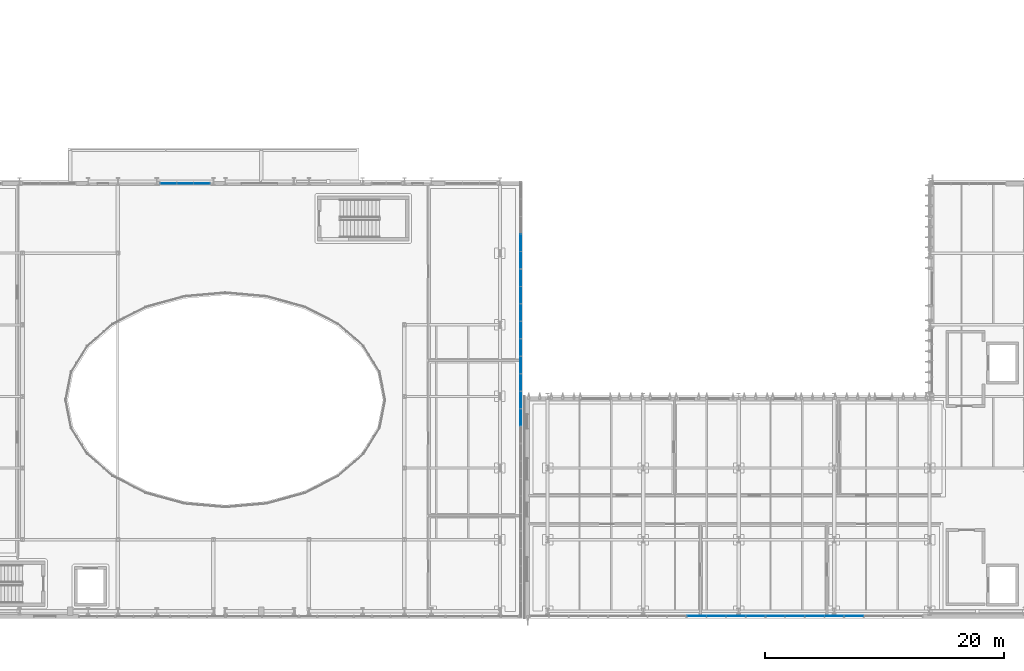
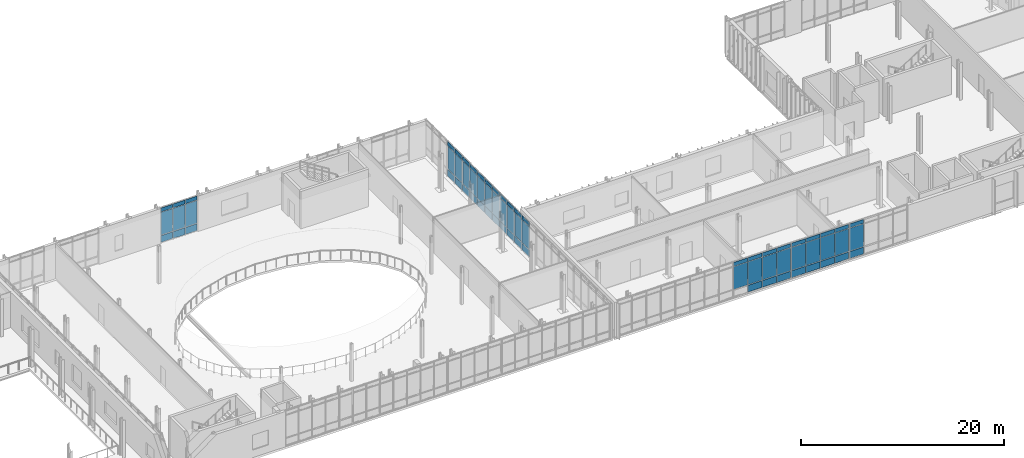
# One storey, part 53 of 100: 68 plates, 7 elements without a shape of their own.
"""IFC4 building model written with IfcOpenShell, lengths in metres."""

from ifc_helpers import new_model, si_unit, direction, frame, origin, origin_2d, place, context, subcontext, project, spatial, rectangle, extrude, material, layer, layer_set, type_object, element, aggregate, save


model = new_model("IFC4")

# Units and contexts
model_context = context("Model", 3, precision=1e-05, world=origin(), true_north=direction((0.0, 1.0)))
body_context = subcontext(model_context, "Body", "Model", "MODEL_VIEW")
ifc_project = project(units=[si_unit("LENGTHUNIT", "METRE"), si_unit("AREAUNIT", "SQUARE_METRE"), si_unit("VOLUMEUNIT", "CUBIC_METRE"), si_unit("PLANEANGLEUNIT", "RADIAN"), si_unit("MASSUNIT", "GRAM", prefix="KILO")], contexts=[model_context])

# Site, building, storey
site_placement = place(None, origin())
site = spatial("IfcSite", under=ifc_project, at=site_placement, CompositionType="ELEMENT")
building_placement = place(site_placement, origin())
building = spatial("IfcBuilding", under=site, at=building_placement, Name="Cymarion Research Institute", CompositionType="ELEMENT")
storey_placement = place(building_placement, frame((0.0, 0.0, 4.800048828125)))
storey = spatial("IfcBuildingStorey", under=building, at=storey_placement, Name="L01", CompositionType="ELEMENT", Elevation=4.800048828125)

# Curtain wall, plates
ifc_material_1 = material(Name="Anodised aluminium unitised curtain wall with Low-E glazing", Category="aluminium")
curtain_wall_type_1 = type_object("IfcCurtainWallType", Name="UNITISED CURTAIN WALL CW01 6590X4250", PredefinedType="NOTDEFINED", material=ifc_material_1)
curtain_wall_1_placement = place(storey_placement, origin())
curtain_wall_1 = element("IfcCurtainWall", 1, at=curtain_wall_1_placement, inside=storey, type_object=curtain_wall_type_1, Name="L01 V1 unitised curtain wall CW01 #3", PredefinedType="NOTDEFINED")
ifc_material_2 = material(Name="Insulated anodised aluminium spandrel panel", Category="aluminium")
ifc_layer_1 = layer(ifc_material_2, 0.06005859375)
ifc_layer_set_1 = layer_set([ifc_layer_1], Name="Insulated anodised aluminium spandrel panel")
plate_type_1 = type_object("IfcPlateType", Name="INSULATED ALUMINIUM SPANDREL PANEL SP01 60MM", PredefinedType="SHEET", material=ifc_layer_set_1)
plate_1_placement = place(storey_placement, frame((119.08740234375, 5.090087890625, 3.72998046875), z_axis=(0.0, 0.0, 1.0), x_axis=(1.0, 0.0, 0.0)))
plate_1 = element("IfcPlate", 2, at=plate_1_placement, type_object=plate_type_1, Name="CW01 panel 1.3", PredefinedType="SHEET", context=body_context, shape_type="SweptSolid", body=[
    extrude(rectangle(XDim=1.558349609375, YDim=0.06005859375, at=origin_2d()), origin(), (0.0, 0.0, 1.0), 0.4599609375),
])
plate_2_placement = place(storey_placement, frame((120.720703125, 5.090087890625, 0.059814453125), z_axis=(0.0, 0.0, 1.0), x_axis=(1.0, 0.0, 0.0)))
plate_2 = element("IfcPlate", 3, at=plate_2_placement, type_object=plate_type_1, Name="CW01 panel 2.1", PredefinedType="SHEET", context=body_context, shape_type="SweptSolid", body=[
    extrude(rectangle(XDim=1.58837890625, YDim=0.06005859375, at=origin_2d()), origin(), (0.0, 0.0, 1.0), 0.81005859375),
])
plate_3_placement = place(storey_placement, frame((120.720703125, 5.090087890625, 3.72998046875), z_axis=(0.0, 0.0, 1.0), x_axis=(1.0, 0.0, 0.0)))
plate_3 = element("IfcPlate", 4, at=plate_3_placement, type_object=plate_type_1, Name="CW01 panel 2.3", PredefinedType="SHEET", context=body_context, shape_type="SweptSolid", body=[
    extrude(rectangle(XDim=1.58837890625, YDim=0.06005859375, at=origin_2d()), origin(), (0.0, 0.0, 1.0), 0.4599609375),
])
plate_4_placement = place(storey_placement, frame((122.368896484375, 5.090087890625, 0.059814453125), z_axis=(0.0, 0.0, 1.0), x_axis=(1.0, 0.0, 0.0)))
plate_4 = element("IfcPlate", 5, at=plate_4_placement, type_object=plate_type_1, Name="CW01 panel 3.1", PredefinedType="SHEET", context=body_context, shape_type="SweptSolid", body=[
    extrude(rectangle(XDim=1.58837890625, YDim=0.06005859375, at=origin_2d()), origin(), (0.0, 0.0, 1.0), 0.81005859375),
])
plate_5_placement = place(storey_placement, frame((122.368896484375, 5.090087890625, 3.72998046875), z_axis=(0.0, 0.0, 1.0), x_axis=(1.0, 0.0, 0.0)))
plate_5 = element("IfcPlate", 6, at=plate_5_placement, type_object=plate_type_1, Name="CW01 panel 3.3", PredefinedType="SHEET", context=body_context, shape_type="SweptSolid", body=[
    extrude(rectangle(XDim=1.58837890625, YDim=0.06005859375, at=origin_2d()), origin(), (0.0, 0.0, 1.0), 0.4599609375),
])
plate_6_placement = place(storey_placement, frame((124.002197265625, 5.090087890625, 0.059814453125), z_axis=(0.0, 0.0, 1.0), x_axis=(1.0, 0.0, 0.0)))
plate_6 = element("IfcPlate", 7, at=plate_6_placement, type_object=plate_type_1, Name="CW01 panel 4.1", PredefinedType="SHEET", context=body_context, shape_type="SweptSolid", body=[
    extrude(rectangle(XDim=1.558349609375, YDim=0.06005859375, at=origin_2d()), origin(), (0.0, 0.0, 1.0), 0.81005859375),
])
plate_7_placement = place(storey_placement, frame((124.002197265625, 5.090087890625, 3.72998046875), z_axis=(0.0, 0.0, 1.0), x_axis=(1.0, 0.0, 0.0)))
plate_7 = element("IfcPlate", 8, at=plate_7_placement, type_object=plate_type_1, Name="CW01 panel 4.3", PredefinedType="SHEET", context=body_context, shape_type="SweptSolid", body=[
    extrude(rectangle(XDim=1.558349609375, YDim=0.06005859375, at=origin_2d()), origin(), (0.0, 0.0, 1.0), 0.4599609375),
])

curtain_wall_2_placement = place(storey_placement, origin())
curtain_wall_2 = element("IfcCurtainWall", 9, at=curtain_wall_2_placement, inside=storey, type_object=curtain_wall_type_1, Name="L01 V1 unitised curtain wall CW01 #4", PredefinedType="NOTDEFINED")
plate_8_placement = place(storey_placement, frame((125.680419921875, 5.090087890625, 0.059814453125), z_axis=(0.0, 0.0, 1.0), x_axis=(1.0, 0.0, 0.0)))
plate_8 = element("IfcPlate", 10, at=plate_8_placement, type_object=plate_type_1, Name="CW01 panel 1.1", PredefinedType="SHEET", context=body_context, shape_type="SweptSolid", body=[
    extrude(rectangle(XDim=1.558349609375, YDim=0.06005859375, at=origin_2d()), origin(), (0.0, 0.0, 1.0), 0.81005859375),
])
plate_9_placement = place(storey_placement, frame((125.680419921875, 5.090087890625, 3.72998046875), z_axis=(0.0, 0.0, 1.0), x_axis=(1.0, 0.0, 0.0)))
plate_9 = element("IfcPlate", 11, at=plate_9_placement, type_object=plate_type_1, Name="CW01 panel 1.3", PredefinedType="SHEET", context=body_context, shape_type="SweptSolid", body=[
    extrude(rectangle(XDim=1.558349609375, YDim=0.06005859375, at=origin_2d()), origin(), (0.0, 0.0, 1.0), 0.4599609375),
])
plate_10_placement = place(storey_placement, frame((127.313720703125, 5.090087890625, 0.059814453125), z_axis=(0.0, 0.0, 1.0), x_axis=(1.0, 0.0, 0.0)))
plate_10 = element("IfcPlate", 12, at=plate_10_placement, type_object=plate_type_1, Name="CW01 panel 2.1", PredefinedType="SHEET", context=body_context, shape_type="SweptSolid", body=[
    extrude(rectangle(XDim=1.58837890625, YDim=0.06005859375, at=origin_2d()), origin(), (0.0, 0.0, 1.0), 0.81005859375),
])
plate_11_placement = place(storey_placement, frame((127.313720703125, 5.090087890625, 3.72998046875), z_axis=(0.0, 0.0, 1.0), x_axis=(1.0, 0.0, 0.0)))
plate_11 = element("IfcPlate", 13, at=plate_11_placement, type_object=plate_type_1, Name="CW01 panel 2.3", PredefinedType="SHEET", context=body_context, shape_type="SweptSolid", body=[
    extrude(rectangle(XDim=1.58837890625, YDim=0.06005859375, at=origin_2d()), origin(), (0.0, 0.0, 1.0), 0.4599609375),
])
plate_12_placement = place(storey_placement, frame((128.9619140625, 5.090087890625, 0.059814453125), z_axis=(0.0, 0.0, 1.0), x_axis=(1.0, 0.0, 0.0)))
plate_12 = element("IfcPlate", 14, at=plate_12_placement, type_object=plate_type_1, Name="CW01 panel 3.1", PredefinedType="SHEET", context=body_context, shape_type="SweptSolid", body=[
    extrude(rectangle(XDim=1.58837890625, YDim=0.06005859375, at=origin_2d()), origin(), (0.0, 0.0, 1.0), 0.81005859375),
])
plate_13_placement = place(storey_placement, frame((128.9619140625, 5.090087890625, 3.72998046875), z_axis=(0.0, 0.0, 1.0), x_axis=(1.0, 0.0, 0.0)))
plate_13 = element("IfcPlate", 15, at=plate_13_placement, type_object=plate_type_1, Name="CW01 panel 3.3", PredefinedType="SHEET", context=body_context, shape_type="SweptSolid", body=[
    extrude(rectangle(XDim=1.58837890625, YDim=0.06005859375, at=origin_2d()), origin(), (0.0, 0.0, 1.0), 0.4599609375),
])
plate_14_placement = place(storey_placement, frame((130.59521484375, 5.090087890625, 0.059814453125), z_axis=(0.0, 0.0, 1.0), x_axis=(1.0, 0.0, 0.0)))
plate_14 = element("IfcPlate", 16, at=plate_14_placement, type_object=plate_type_1, Name="CW01 panel 4.1", PredefinedType="SHEET", context=body_context, shape_type="SweptSolid", body=[
    extrude(rectangle(XDim=1.558349609375, YDim=0.06005859375, at=origin_2d()), origin(), (0.0, 0.0, 1.0), 0.81005859375),
])
plate_15_placement = place(storey_placement, frame((130.59521484375, 5.090087890625, 3.72998046875), z_axis=(0.0, 0.0, 1.0), x_axis=(1.0, 0.0, 0.0)))
plate_15 = element("IfcPlate", 17, at=plate_15_placement, type_object=plate_type_1, Name="CW01 panel 4.3", PredefinedType="SHEET", context=body_context, shape_type="SweptSolid", body=[
    extrude(rectangle(XDim=1.558349609375, YDim=0.06005859375, at=origin_2d()), origin(), (0.0, 0.0, 1.0), 0.4599609375),
])

curtain_wall_3_placement = place(storey_placement, origin())
curtain_wall_3 = element("IfcCurtainWall", 18, at=curtain_wall_3_placement, inside=storey, type_object=curtain_wall_type_1, Name="L01 V1 unitised curtain wall CW01 #5", PredefinedType="NOTDEFINED")
plate_16_placement = place(storey_placement, frame((132.2734375, 5.090087890625, 0.059814453125), z_axis=(0.0, 0.0, 1.0), x_axis=(1.0, 0.0, 0.0)))
plate_16 = element("IfcPlate", 19, at=plate_16_placement, type_object=plate_type_1, Name="CW01 panel 1.1", PredefinedType="SHEET", context=body_context, shape_type="SweptSolid", body=[
    extrude(rectangle(XDim=1.558349609375, YDim=0.06005859375, at=origin_2d()), origin(), (0.0, 0.0, 1.0), 0.81005859375),
])
plate_17_placement = place(storey_placement, frame((132.2734375, 5.090087890625, 3.72998046875), z_axis=(0.0, 0.0, 1.0), x_axis=(1.0, 0.0, 0.0)))
plate_17 = element("IfcPlate", 20, at=plate_17_placement, type_object=plate_type_1, Name="CW01 panel 1.3", PredefinedType="SHEET", context=body_context, shape_type="SweptSolid", body=[
    extrude(rectangle(XDim=1.558349609375, YDim=0.06005859375, at=origin_2d()), origin(), (0.0, 0.0, 1.0), 0.4599609375),
])

curtain_wall_type_2 = type_object("IfcCurtainWallType", Name="UNITISED CURTAIN WALL CW08 7320X4250", PredefinedType="NOTDEFINED", material=ifc_material_1)
curtain_wall_4_placement = place(storey_placement, origin())
curtain_wall_4 = element("IfcCurtainWall", 21, at=curtain_wall_4_placement, inside=storey, type_object=curtain_wall_type_2, Name="L01 V2 unitised curtain wall CW08 #21", PredefinedType="NOTDEFINED")
plate_18_placement = place(storey_placement, frame((104.340087890625, 21.736083984375, 0.059814453125), z_axis=(0.0, 0.0, 1.0), x_axis=(0.0, 1.0, 0.0)))
plate_18 = element("IfcPlate", 22, at=plate_18_placement, type_object=plate_type_1, Name="CW08 panel 2.1", PredefinedType="SHEET", context=body_context, shape_type="SweptSolid", body=[
    extrude(rectangle(XDim=1.404052734375, YDim=0.06005859375, at=origin_2d()), origin(), (0.0, 0.0, 1.0), 0.81005859375),
])
plate_19_placement = place(storey_placement, frame((104.340087890625, 21.736083984375, 3.72998046875), z_axis=(0.0, 0.0, 1.0), x_axis=(0.0, 1.0, 0.0)))
plate_19 = element("IfcPlate", 23, at=plate_19_placement, type_object=plate_type_1, Name="CW08 panel 2.3", PredefinedType="SHEET", context=body_context, shape_type="SweptSolid", body=[
    extrude(rectangle(XDim=1.404052734375, YDim=0.06005859375, at=origin_2d()), origin(), (0.0, 0.0, 1.0), 0.4599609375),
])
plate_20_placement = place(storey_placement, frame((104.340087890625, 23.199951171875, 0.059814453125), z_axis=(0.0, 0.0, 1.0), x_axis=(0.0, 1.0, 0.0)))
plate_20 = element("IfcPlate", 24, at=plate_20_placement, type_object=plate_type_1, Name="CW08 panel 3.1", PredefinedType="SHEET", context=body_context, shape_type="SweptSolid", body=[
    extrude(rectangle(XDim=1.404052734375, YDim=0.06005859375, at=origin_2d()), origin(), (0.0, 0.0, 1.0), 0.81005859375),
])
plate_21_placement = place(storey_placement, frame((104.340087890625, 23.199951171875, 3.72998046875), z_axis=(0.0, 0.0, 1.0), x_axis=(0.0, 1.0, 0.0)))
plate_21 = element("IfcPlate", 25, at=plate_21_placement, type_object=plate_type_1, Name="CW08 panel 3.3", PredefinedType="SHEET", context=body_context, shape_type="SweptSolid", body=[
    extrude(rectangle(XDim=1.404052734375, YDim=0.06005859375, at=origin_2d()), origin(), (0.0, 0.0, 1.0), 0.4599609375),
])
plate_22_placement = place(storey_placement, frame((104.340087890625, 24.6640625, 0.059814453125), z_axis=(0.0, 0.0, 1.0), x_axis=(0.0, 1.0, 0.0)))
plate_22 = element("IfcPlate", 26, at=plate_22_placement, type_object=plate_type_1, Name="CW08 panel 4.1", PredefinedType="SHEET", context=body_context, shape_type="SweptSolid", body=[
    extrude(rectangle(XDim=1.404052734375, YDim=0.06005859375, at=origin_2d()), origin(), (0.0, 0.0, 1.0), 0.81005859375),
])
plate_23_placement = place(storey_placement, frame((104.340087890625, 24.6640625, 3.72998046875), z_axis=(0.0, 0.0, 1.0), x_axis=(0.0, 1.0, 0.0)))
plate_23 = element("IfcPlate", 27, at=plate_23_placement, type_object=plate_type_1, Name="CW08 panel 4.3", PredefinedType="SHEET", context=body_context, shape_type="SweptSolid", body=[
    extrude(rectangle(XDim=1.404052734375, YDim=0.06005859375, at=origin_2d()), origin(), (0.0, 0.0, 1.0), 0.4599609375),
])
plate_24_placement = place(storey_placement, frame((104.340087890625, 26.113037109375, 0.059814453125), z_axis=(0.0, 0.0, 1.0), x_axis=(0.0, 1.0, 0.0)))
plate_24 = element("IfcPlate", 28, at=plate_24_placement, type_object=plate_type_1, Name="CW08 panel 5.1", PredefinedType="SHEET", context=body_context, shape_type="SweptSolid", body=[
    extrude(rectangle(XDim=1.3740234375, YDim=0.06005859375, at=origin_2d()), origin(), (0.0, 0.0, 1.0), 0.81005859375),
])
plate_25_placement = place(storey_placement, frame((104.340087890625, 26.113037109375, 3.72998046875), z_axis=(0.0, 0.0, 1.0), x_axis=(0.0, 1.0, 0.0)))
plate_25 = element("IfcPlate", 29, at=plate_25_placement, type_object=plate_type_1, Name="CW08 panel 5.3", PredefinedType="SHEET", context=body_context, shape_type="SweptSolid", body=[
    extrude(rectangle(XDim=1.3740234375, YDim=0.06005859375, at=origin_2d()), origin(), (0.0, 0.0, 1.0), 0.4599609375),
])

curtain_wall_5_placement = place(storey_placement, origin())
curtain_wall_5 = element("IfcCurtainWall", 30, at=curtain_wall_5_placement, inside=storey, type_object=curtain_wall_type_2, Name="L01 V2 unitised curtain wall CW08 #22", PredefinedType="NOTDEFINED")
plate_26_placement = place(storey_placement, frame((104.340087890625, 27.60693359375, 0.059814453125), z_axis=(0.0, 0.0, 1.0), x_axis=(0.0, 1.0, 0.0)))
plate_26 = element("IfcPlate", 31, at=plate_26_placement, type_object=plate_type_1, Name="CW08 panel 1.1", PredefinedType="SHEET", context=body_context, shape_type="SweptSolid", body=[
    extrude(rectangle(XDim=1.3740234375, YDim=0.06005859375, at=origin_2d()), origin(), (0.0, 0.0, 1.0), 0.81005859375),
])
plate_27_placement = place(storey_placement, frame((104.340087890625, 27.60693359375, 3.72998046875), z_axis=(0.0, 0.0, 1.0), x_axis=(0.0, 1.0, 0.0)))
plate_27 = element("IfcPlate", 32, at=plate_27_placement, type_object=plate_type_1, Name="CW08 panel 1.3", PredefinedType="SHEET", context=body_context, shape_type="SweptSolid", body=[
    extrude(rectangle(XDim=1.3740234375, YDim=0.06005859375, at=origin_2d()), origin(), (0.0, 0.0, 1.0), 0.4599609375),
])
plate_28_placement = place(storey_placement, frame((104.340087890625, 29.055908203125, 0.059814453125), z_axis=(0.0, 0.0, 1.0), x_axis=(0.0, 1.0, 0.0)))
plate_28 = element("IfcPlate", 33, at=plate_28_placement, type_object=plate_type_1, Name="CW08 panel 2.1", PredefinedType="SHEET", context=body_context, shape_type="SweptSolid", body=[
    extrude(rectangle(XDim=1.404052734375, YDim=0.06005859375, at=origin_2d()), origin(), (0.0, 0.0, 1.0), 0.81005859375),
])
plate_29_placement = place(storey_placement, frame((104.340087890625, 29.055908203125, 3.72998046875), z_axis=(0.0, 0.0, 1.0), x_axis=(0.0, 1.0, 0.0)))
plate_29 = element("IfcPlate", 34, at=plate_29_placement, type_object=plate_type_1, Name="CW08 panel 2.3", PredefinedType="SHEET", context=body_context, shape_type="SweptSolid", body=[
    extrude(rectangle(XDim=1.404052734375, YDim=0.06005859375, at=origin_2d()), origin(), (0.0, 0.0, 1.0), 0.4599609375),
])
plate_30_placement = place(storey_placement, frame((104.340087890625, 30.52001953125, 0.059814453125), z_axis=(0.0, 0.0, 1.0), x_axis=(0.0, 1.0, 0.0)))
plate_30 = element("IfcPlate", 35, at=plate_30_placement, type_object=plate_type_1, Name="CW08 panel 3.1", PredefinedType="SHEET", context=body_context, shape_type="SweptSolid", body=[
    extrude(rectangle(XDim=1.404052734375, YDim=0.06005859375, at=origin_2d()), origin(), (0.0, 0.0, 1.0), 0.81005859375),
])
plate_31_placement = place(storey_placement, frame((104.340087890625, 30.52001953125, 3.72998046875), z_axis=(0.0, 0.0, 1.0), x_axis=(0.0, 1.0, 0.0)))
plate_31 = element("IfcPlate", 36, at=plate_31_placement, type_object=plate_type_1, Name="CW08 panel 3.3", PredefinedType="SHEET", context=body_context, shape_type="SweptSolid", body=[
    extrude(rectangle(XDim=1.404052734375, YDim=0.06005859375, at=origin_2d()), origin(), (0.0, 0.0, 1.0), 0.4599609375),
])
plate_32_placement = place(storey_placement, frame((104.340087890625, 31.98388671875, 0.059814453125), z_axis=(0.0, 0.0, 1.0), x_axis=(0.0, 1.0, 0.0)))
plate_32 = element("IfcPlate", 37, at=plate_32_placement, type_object=plate_type_1, Name="CW08 panel 4.1", PredefinedType="SHEET", context=body_context, shape_type="SweptSolid", body=[
    extrude(rectangle(XDim=1.404052734375, YDim=0.06005859375, at=origin_2d()), origin(), (0.0, 0.0, 1.0), 0.81005859375),
])
plate_33_placement = place(storey_placement, frame((104.340087890625, 31.98388671875, 3.72998046875), z_axis=(0.0, 0.0, 1.0), x_axis=(0.0, 1.0, 0.0)))
plate_33 = element("IfcPlate", 38, at=plate_33_placement, type_object=plate_type_1, Name="CW08 panel 4.3", PredefinedType="SHEET", context=body_context, shape_type="SweptSolid", body=[
    extrude(rectangle(XDim=1.404052734375, YDim=0.06005859375, at=origin_2d()), origin(), (0.0, 0.0, 1.0), 0.4599609375),
])
plate_34_placement = place(storey_placement, frame((104.340087890625, 33.43310546875, 0.059814453125), z_axis=(0.0, 0.0, 1.0), x_axis=(0.0, 1.0, 0.0)))
plate_34 = element("IfcPlate", 39, at=plate_34_placement, type_object=plate_type_1, Name="CW08 panel 5.1", PredefinedType="SHEET", context=body_context, shape_type="SweptSolid", body=[
    extrude(rectangle(XDim=1.3740234375, YDim=0.06005859375, at=origin_2d()), origin(), (0.0, 0.0, 1.0), 0.81005859375),
])
plate_35_placement = place(storey_placement, frame((104.340087890625, 33.43310546875, 3.72998046875), z_axis=(0.0, 0.0, 1.0), x_axis=(0.0, 1.0, 0.0)))
plate_35 = element("IfcPlate", 40, at=plate_35_placement, type_object=plate_type_1, Name="CW08 panel 5.3", PredefinedType="SHEET", context=body_context, shape_type="SweptSolid", body=[
    extrude(rectangle(XDim=1.3740234375, YDim=0.06005859375, at=origin_2d()), origin(), (0.0, 0.0, 1.0), 0.4599609375),
])

curtain_wall_6_placement = place(storey_placement, origin())
curtain_wall_6 = element("IfcCurtainWall", 41, at=curtain_wall_6_placement, inside=storey, type_object=curtain_wall_type_2, Name="L01 V2 unitised curtain wall CW08 #23", PredefinedType="NOTDEFINED")
plate_36_placement = place(storey_placement, frame((104.340087890625, 34.927001953125, 0.059814453125), z_axis=(0.0, 0.0, 1.0), x_axis=(0.0, 1.0, 0.0)))
plate_36 = element("IfcPlate", 42, at=plate_36_placement, type_object=plate_type_1, Name="CW08 panel 1.1", PredefinedType="SHEET", context=body_context, shape_type="SweptSolid", body=[
    extrude(rectangle(XDim=1.3740234375, YDim=0.06005859375, at=origin_2d()), origin(), (0.0, 0.0, 1.0), 0.81005859375),
])
plate_37_placement = place(storey_placement, frame((104.340087890625, 34.927001953125, 3.72998046875), z_axis=(0.0, 0.0, 1.0), x_axis=(0.0, 1.0, 0.0)))
plate_37 = element("IfcPlate", 43, at=plate_37_placement, type_object=plate_type_1, Name="CW08 panel 1.3", PredefinedType="SHEET", context=body_context, shape_type="SweptSolid", body=[
    extrude(rectangle(XDim=1.3740234375, YDim=0.06005859375, at=origin_2d()), origin(), (0.0, 0.0, 1.0), 0.4599609375),
])
plate_38_placement = place(storey_placement, frame((104.340087890625, 36.3759765625, 0.059814453125), z_axis=(0.0, 0.0, 1.0), x_axis=(0.0, 1.0, 0.0)))
plate_38 = element("IfcPlate", 44, at=plate_38_placement, type_object=plate_type_1, Name="CW08 panel 2.1", PredefinedType="SHEET", context=body_context, shape_type="SweptSolid", body=[
    extrude(rectangle(XDim=1.404052734375, YDim=0.06005859375, at=origin_2d()), origin(), (0.0, 0.0, 1.0), 0.81005859375),
])
plate_39_placement = place(storey_placement, frame((104.340087890625, 36.3759765625, 3.72998046875), z_axis=(0.0, 0.0, 1.0), x_axis=(0.0, 1.0, 0.0)))
plate_39 = element("IfcPlate", 45, at=plate_39_placement, type_object=plate_type_1, Name="CW08 panel 2.3", PredefinedType="SHEET", context=body_context, shape_type="SweptSolid", body=[
    extrude(rectangle(XDim=1.404052734375, YDim=0.06005859375, at=origin_2d()), origin(), (0.0, 0.0, 1.0), 0.4599609375),
])

curtain_wall_type_3 = type_object("IfcCurtainWallType", Name="UNITISED CURTAIN WALL CW11 4230X4250", PredefinedType="NOTDEFINED", material=ifc_material_1)
curtain_wall_7_placement = place(storey_placement, origin())
curtain_wall_7 = element("IfcCurtainWall", 46, at=curtain_wall_7_placement, inside=storey, type_object=curtain_wall_type_3, Name="L01 V2 unitised curtain wall CW11 #26", PredefinedType="NOTDEFINED")
plate_40_placement = place(storey_placement, frame((77.6201171875, 41.340087890625, 0.059814453125), z_axis=(0.0, 0.0, 1.0), x_axis=(-1.0, 0.0, 0.0)))
plate_40 = element("IfcPlate", 47, at=plate_40_placement, type_object=plate_type_1, Name="CW11 panel 1.1", PredefinedType="SHEET", context=body_context, shape_type="SweptSolid", body=[
    extrude(rectangle(XDim=1.320068359375, YDim=0.06005859375, at=origin_2d()), origin(), (0.0, 0.0, 1.0), 0.81005859375),
])
plate_41_placement = place(storey_placement, frame((77.6201171875, 41.340087890625, 3.72998046875), z_axis=(0.0, 0.0, 1.0), x_axis=(-1.0, 0.0, 0.0)))
plate_41 = element("IfcPlate", 48, at=plate_41_placement, type_object=plate_type_1, Name="CW11 panel 1.3", PredefinedType="SHEET", context=body_context, shape_type="SweptSolid", body=[
    extrude(rectangle(XDim=1.320068359375, YDim=0.06005859375, at=origin_2d()), origin(), (0.0, 0.0, 1.0), 0.4599609375),
])
plate_42_placement = place(storey_placement, frame((76.22509765625, 41.340087890625, 0.059814453125), z_axis=(0.0, 0.0, 1.0), x_axis=(-1.0, 0.0, 0.0)))
plate_42 = element("IfcPlate", 49, at=plate_42_placement, type_object=plate_type_1, Name="CW11 panel 2.1", PredefinedType="SHEET", context=body_context, shape_type="SweptSolid", body=[
    extrude(rectangle(XDim=1.35009765625, YDim=0.06005859375, at=origin_2d()), origin(), (0.0, 0.0, 1.0), 0.81005859375),
])
plate_43_placement = place(storey_placement, frame((76.22509765625, 41.340087890625, 3.72998046875), z_axis=(0.0, 0.0, 1.0), x_axis=(-1.0, 0.0, 0.0)))
plate_43 = element("IfcPlate", 50, at=plate_43_placement, type_object=plate_type_1, Name="CW11 panel 2.3", PredefinedType="SHEET", context=body_context, shape_type="SweptSolid", body=[
    extrude(rectangle(XDim=1.35009765625, YDim=0.06005859375, at=origin_2d()), origin(), (0.0, 0.0, 1.0), 0.4599609375),
])
plate_44_placement = place(storey_placement, frame((74.830078125, 41.340087890625, 0.059814453125), z_axis=(0.0, 0.0, 1.0), x_axis=(-1.0, 0.0, 0.0)))
plate_44 = element("IfcPlate", 51, at=plate_44_placement, type_object=plate_type_1, Name="CW11 panel 3.1", PredefinedType="SHEET", context=body_context, shape_type="SweptSolid", body=[
    extrude(rectangle(XDim=1.320068359375, YDim=0.06005859375, at=origin_2d()), origin(), (0.0, 0.0, 1.0), 0.81005859375),
])
plate_45_placement = place(storey_placement, frame((74.830078125, 41.340087890625, 3.72998046875), z_axis=(0.0, 0.0, 1.0), x_axis=(-1.0, 0.0, 0.0)))
plate_45 = element("IfcPlate", 52, at=plate_45_placement, type_object=plate_type_1, Name="CW11 panel 3.3", PredefinedType="SHEET", context=body_context, shape_type="SweptSolid", body=[
    extrude(rectangle(XDim=1.320068359375, YDim=0.06005859375, at=origin_2d()), origin(), (0.0, 0.0, 1.0), 0.4599609375),
])

# Plate
ifc_material_3 = material(Name="Low-E double solar-control glazing", Category="glass")
ifc_layer_2 = layer(ifc_material_3, 0.035888671875)
ifc_layer_set_2 = layer_set([ifc_layer_2], Name="Low-E double solar-control glazing")
plate_type_2 = type_object("IfcPlateType", Name="SOLAR CONTROL GLAZED VISION PANEL GP01 36MM", PredefinedType="CURTAIN_PANEL", material=ifc_layer_set_2)
plate_46_placement = place(storey_placement, frame((119.08740234375, 5.090087890625, 0.93017578125), z_axis=(0.0, 0.0, 1.0), x_axis=(1.0, 0.0, 0.0)))
plate_46 = element("IfcPlate", 53, at=plate_46_placement, type_object=plate_type_2, Name="CW01 panel 1.2", PredefinedType="CURTAIN_PANEL", context=body_context, shape_type="SweptSolid", body=[
    extrude(rectangle(XDim=1.558349609375, YDim=0.035888671875, at=origin_2d()), origin(), (0.0, 0.0, 1.0), 2.739990234375),
])

plate_47_placement = place(storey_placement, frame((120.720703125, 5.090087890625, 0.93017578125), z_axis=(0.0, 0.0, 1.0), x_axis=(1.0, 0.0, 0.0)))
plate_47 = element("IfcPlate", 54, at=plate_47_placement, type_object=plate_type_2, Name="CW01 panel 2.2", PredefinedType="CURTAIN_PANEL", context=body_context, shape_type="SweptSolid", body=[
    extrude(rectangle(XDim=1.58837890625, YDim=0.035888671875, at=origin_2d()), origin(), (0.0, 0.0, 1.0), 2.739990234375),
])

plate_48_placement = place(storey_placement, frame((122.368896484375, 5.090087890625, 0.93017578125), z_axis=(0.0, 0.0, 1.0), x_axis=(1.0, 0.0, 0.0)))
plate_48 = element("IfcPlate", 55, at=plate_48_placement, type_object=plate_type_2, Name="CW01 panel 3.2", PredefinedType="CURTAIN_PANEL", context=body_context, shape_type="SweptSolid", body=[
    extrude(rectangle(XDim=1.58837890625, YDim=0.035888671875, at=origin_2d()), origin(), (0.0, 0.0, 1.0), 2.739990234375),
])

plate_49_placement = place(storey_placement, frame((124.002197265625, 5.090087890625, 0.93017578125), z_axis=(0.0, 0.0, 1.0), x_axis=(1.0, 0.0, 0.0)))
plate_49 = element("IfcPlate", 56, at=plate_49_placement, type_object=plate_type_2, Name="CW01 panel 4.2", PredefinedType="CURTAIN_PANEL", context=body_context, shape_type="SweptSolid", body=[
    extrude(rectangle(XDim=1.558349609375, YDim=0.035888671875, at=origin_2d()), origin(), (0.0, 0.0, 1.0), 2.739990234375),
])

aggregate(curtain_wall_1, [plate_46, plate_1, plate_2, plate_47, plate_3, plate_4, plate_48, plate_5, plate_6, plate_49, plate_7])

plate_50_placement = place(storey_placement, frame((125.680419921875, 5.090087890625, 0.93017578125), z_axis=(0.0, 0.0, 1.0), x_axis=(1.0, 0.0, 0.0)))
plate_50 = element("IfcPlate", 57, at=plate_50_placement, type_object=plate_type_2, Name="CW01 panel 1.2", PredefinedType="CURTAIN_PANEL", context=body_context, shape_type="SweptSolid", body=[
    extrude(rectangle(XDim=1.558349609375, YDim=0.035888671875, at=origin_2d()), origin(), (0.0, 0.0, 1.0), 2.739990234375),
])

plate_51_placement = place(storey_placement, frame((127.313720703125, 5.090087890625, 0.93017578125), z_axis=(0.0, 0.0, 1.0), x_axis=(1.0, 0.0, 0.0)))
plate_51 = element("IfcPlate", 58, at=plate_51_placement, type_object=plate_type_2, Name="CW01 panel 2.2", PredefinedType="CURTAIN_PANEL", context=body_context, shape_type="SweptSolid", body=[
    extrude(rectangle(XDim=1.58837890625, YDim=0.035888671875, at=origin_2d()), origin(), (0.0, 0.0, 1.0), 2.739990234375),
])

plate_52_placement = place(storey_placement, frame((128.9619140625, 5.090087890625, 0.93017578125), z_axis=(0.0, 0.0, 1.0), x_axis=(1.0, 0.0, 0.0)))
plate_52 = element("IfcPlate", 59, at=plate_52_placement, type_object=plate_type_2, Name="CW01 panel 3.2", PredefinedType="CURTAIN_PANEL", context=body_context, shape_type="SweptSolid", body=[
    extrude(rectangle(XDim=1.58837890625, YDim=0.035888671875, at=origin_2d()), origin(), (0.0, 0.0, 1.0), 2.739990234375),
])

plate_53_placement = place(storey_placement, frame((130.59521484375, 5.090087890625, 0.93017578125), z_axis=(0.0, 0.0, 1.0), x_axis=(1.0, 0.0, 0.0)))
plate_53 = element("IfcPlate", 60, at=plate_53_placement, type_object=plate_type_2, Name="CW01 panel 4.2", PredefinedType="CURTAIN_PANEL", context=body_context, shape_type="SweptSolid", body=[
    extrude(rectangle(XDim=1.558349609375, YDim=0.035888671875, at=origin_2d()), origin(), (0.0, 0.0, 1.0), 2.739990234375),
])

aggregate(curtain_wall_2, [plate_8, plate_50, plate_9, plate_10, plate_51, plate_11, plate_12, plate_52, plate_13, plate_14, plate_53, plate_15])

plate_54_placement = place(storey_placement, frame((132.2734375, 5.090087890625, 0.93017578125), z_axis=(0.0, 0.0, 1.0), x_axis=(1.0, 0.0, 0.0)))
plate_54 = element("IfcPlate", 61, at=plate_54_placement, type_object=plate_type_2, Name="CW01 panel 1.2", PredefinedType="CURTAIN_PANEL", context=body_context, shape_type="SweptSolid", body=[
    extrude(rectangle(XDim=1.558349609375, YDim=0.035888671875, at=origin_2d()), origin(), (0.0, 0.0, 1.0), 2.739990234375),
])

aggregate(curtain_wall_3, [plate_16, plate_54, plate_17])

plate_55_placement = place(storey_placement, frame((104.340087890625, 21.736083984375, 0.93017578125), z_axis=(0.0, 0.0, 1.0), x_axis=(0.0, 1.0, 0.0)))
plate_55 = element("IfcPlate", 62, at=plate_55_placement, type_object=plate_type_2, Name="CW08 panel 2.2", PredefinedType="CURTAIN_PANEL", context=body_context, shape_type="SweptSolid", body=[
    extrude(rectangle(XDim=1.404052734375, YDim=0.035888671875, at=origin_2d()), origin(), (0.0, 0.0, 1.0), 2.739990234375),
])

plate_56_placement = place(storey_placement, frame((104.340087890625, 23.199951171875, 0.93017578125), z_axis=(0.0, 0.0, 1.0), x_axis=(0.0, 1.0, 0.0)))
plate_56 = element("IfcPlate", 63, at=plate_56_placement, type_object=plate_type_2, Name="CW08 panel 3.2", PredefinedType="CURTAIN_PANEL", context=body_context, shape_type="SweptSolid", body=[
    extrude(rectangle(XDim=1.404052734375, YDim=0.035888671875, at=origin_2d()), origin(), (0.0, 0.0, 1.0), 2.739990234375),
])

plate_57_placement = place(storey_placement, frame((104.340087890625, 24.6640625, 0.93017578125), z_axis=(0.0, 0.0, 1.0), x_axis=(0.0, 1.0, 0.0)))
plate_57 = element("IfcPlate", 64, at=plate_57_placement, type_object=plate_type_2, Name="CW08 panel 4.2", PredefinedType="CURTAIN_PANEL", context=body_context, shape_type="SweptSolid", body=[
    extrude(rectangle(XDim=1.404052734375, YDim=0.035888671875, at=origin_2d()), origin(), (0.0, 0.0, 1.0), 2.739990234375),
])

plate_58_placement = place(storey_placement, frame((104.340087890625, 26.113037109375, 0.93017578125), z_axis=(0.0, 0.0, 1.0), x_axis=(0.0, 1.0, 0.0)))
plate_58 = element("IfcPlate", 65, at=plate_58_placement, type_object=plate_type_2, Name="CW08 panel 5.2", PredefinedType="CURTAIN_PANEL", context=body_context, shape_type="SweptSolid", body=[
    extrude(rectangle(XDim=1.3740234375, YDim=0.035888671875, at=origin_2d()), origin(), (0.0, 0.0, 1.0), 2.739990234375),
])

aggregate(curtain_wall_4, [plate_18, plate_55, plate_19, plate_20, plate_56, plate_21, plate_22, plate_57, plate_23, plate_24, plate_58, plate_25])

plate_59_placement = place(storey_placement, frame((104.340087890625, 27.60693359375, 0.93017578125), z_axis=(0.0, 0.0, 1.0), x_axis=(0.0, 1.0, 0.0)))
plate_59 = element("IfcPlate", 66, at=plate_59_placement, type_object=plate_type_2, Name="CW08 panel 1.2", PredefinedType="CURTAIN_PANEL", context=body_context, shape_type="SweptSolid", body=[
    extrude(rectangle(XDim=1.3740234375, YDim=0.035888671875, at=origin_2d()), origin(), (0.0, 0.0, 1.0), 2.739990234375),
])

plate_60_placement = place(storey_placement, frame((104.340087890625, 29.055908203125, 0.93017578125), z_axis=(0.0, 0.0, 1.0), x_axis=(0.0, 1.0, 0.0)))
plate_60 = element("IfcPlate", 67, at=plate_60_placement, type_object=plate_type_2, Name="CW08 panel 2.2", PredefinedType="CURTAIN_PANEL", context=body_context, shape_type="SweptSolid", body=[
    extrude(rectangle(XDim=1.404052734375, YDim=0.035888671875, at=origin_2d()), origin(), (0.0, 0.0, 1.0), 2.739990234375),
])

plate_61_placement = place(storey_placement, frame((104.340087890625, 30.52001953125, 0.93017578125), z_axis=(0.0, 0.0, 1.0), x_axis=(0.0, 1.0, 0.0)))
plate_61 = element("IfcPlate", 68, at=plate_61_placement, type_object=plate_type_2, Name="CW08 panel 3.2", PredefinedType="CURTAIN_PANEL", context=body_context, shape_type="SweptSolid", body=[
    extrude(rectangle(XDim=1.404052734375, YDim=0.035888671875, at=origin_2d()), origin(), (0.0, 0.0, 1.0), 2.739990234375),
])

plate_62_placement = place(storey_placement, frame((104.340087890625, 31.98388671875, 0.93017578125), z_axis=(0.0, 0.0, 1.0), x_axis=(0.0, 1.0, 0.0)))
plate_62 = element("IfcPlate", 69, at=plate_62_placement, type_object=plate_type_2, Name="CW08 panel 4.2", PredefinedType="CURTAIN_PANEL", context=body_context, shape_type="SweptSolid", body=[
    extrude(rectangle(XDim=1.404052734375, YDim=0.035888671875, at=origin_2d()), origin(), (0.0, 0.0, 1.0), 2.739990234375),
])

plate_63_placement = place(storey_placement, frame((104.340087890625, 33.43310546875, 0.93017578125), z_axis=(0.0, 0.0, 1.0), x_axis=(0.0, 1.0, 0.0)))
plate_63 = element("IfcPlate", 70, at=plate_63_placement, type_object=plate_type_2, Name="CW08 panel 5.2", PredefinedType="CURTAIN_PANEL", context=body_context, shape_type="SweptSolid", body=[
    extrude(rectangle(XDim=1.3740234375, YDim=0.035888671875, at=origin_2d()), origin(), (0.0, 0.0, 1.0), 2.739990234375),
])

aggregate(curtain_wall_5, [plate_26, plate_59, plate_27, plate_28, plate_60, plate_29, plate_30, plate_61, plate_31, plate_32, plate_62, plate_33, plate_34, plate_63, plate_35])

plate_64_placement = place(storey_placement, frame((104.340087890625, 34.927001953125, 0.93017578125), z_axis=(0.0, 0.0, 1.0), x_axis=(0.0, 1.0, 0.0)))
plate_64 = element("IfcPlate", 71, at=plate_64_placement, type_object=plate_type_2, Name="CW08 panel 1.2", PredefinedType="CURTAIN_PANEL", context=body_context, shape_type="SweptSolid", body=[
    extrude(rectangle(XDim=1.3740234375, YDim=0.035888671875, at=origin_2d()), origin(), (0.0, 0.0, 1.0), 2.739990234375),
])

plate_65_placement = place(storey_placement, frame((104.340087890625, 36.3759765625, 0.93017578125), z_axis=(0.0, 0.0, 1.0), x_axis=(0.0, 1.0, 0.0)))
plate_65 = element("IfcPlate", 72, at=plate_65_placement, type_object=plate_type_2, Name="CW08 panel 2.2", PredefinedType="CURTAIN_PANEL", context=body_context, shape_type="SweptSolid", body=[
    extrude(rectangle(XDim=1.404052734375, YDim=0.035888671875, at=origin_2d()), origin(), (0.0, 0.0, 1.0), 2.739990234375),
])

aggregate(curtain_wall_6, [plate_36, plate_64, plate_37, plate_38, plate_65, plate_39])

plate_66_placement = place(storey_placement, frame((77.6201171875, 41.340087890625, 0.93017578125), z_axis=(0.0, 0.0, 1.0), x_axis=(-1.0, 0.0, 0.0)))
plate_66 = element("IfcPlate", 73, at=plate_66_placement, type_object=plate_type_2, Name="CW11 panel 1.2", PredefinedType="CURTAIN_PANEL", context=body_context, shape_type="SweptSolid", body=[
    extrude(rectangle(XDim=1.320068359375, YDim=0.035888671875, at=origin_2d()), origin(), (0.0, 0.0, 1.0), 2.739990234375),
])

plate_67_placement = place(storey_placement, frame((76.22509765625, 41.340087890625, 0.93017578125), z_axis=(0.0, 0.0, 1.0), x_axis=(-1.0, 0.0, 0.0)))
plate_67 = element("IfcPlate", 74, at=plate_67_placement, type_object=plate_type_2, Name="CW11 panel 2.2", PredefinedType="CURTAIN_PANEL", context=body_context, shape_type="SweptSolid", body=[
    extrude(rectangle(XDim=1.35009765625, YDim=0.035888671875, at=origin_2d()), origin(), (0.0, 0.0, 1.0), 2.739990234375),
])

plate_68_placement = place(storey_placement, frame((74.830078125, 41.340087890625, 0.93017578125), z_axis=(0.0, 0.0, 1.0), x_axis=(-1.0, 0.0, 0.0)))
plate_68 = element("IfcPlate", 75, at=plate_68_placement, type_object=plate_type_2, Name="CW11 panel 3.2", PredefinedType="CURTAIN_PANEL", context=body_context, shape_type="SweptSolid", body=[
    extrude(rectangle(XDim=1.320068359375, YDim=0.035888671875, at=origin_2d()), origin(), (0.0, 0.0, 1.0), 2.739990234375),
])

aggregate(curtain_wall_7, [plate_40, plate_66, plate_41, plate_42, plate_67, plate_43, plate_44, plate_68, plate_45])

save(model, "model.ifc")
